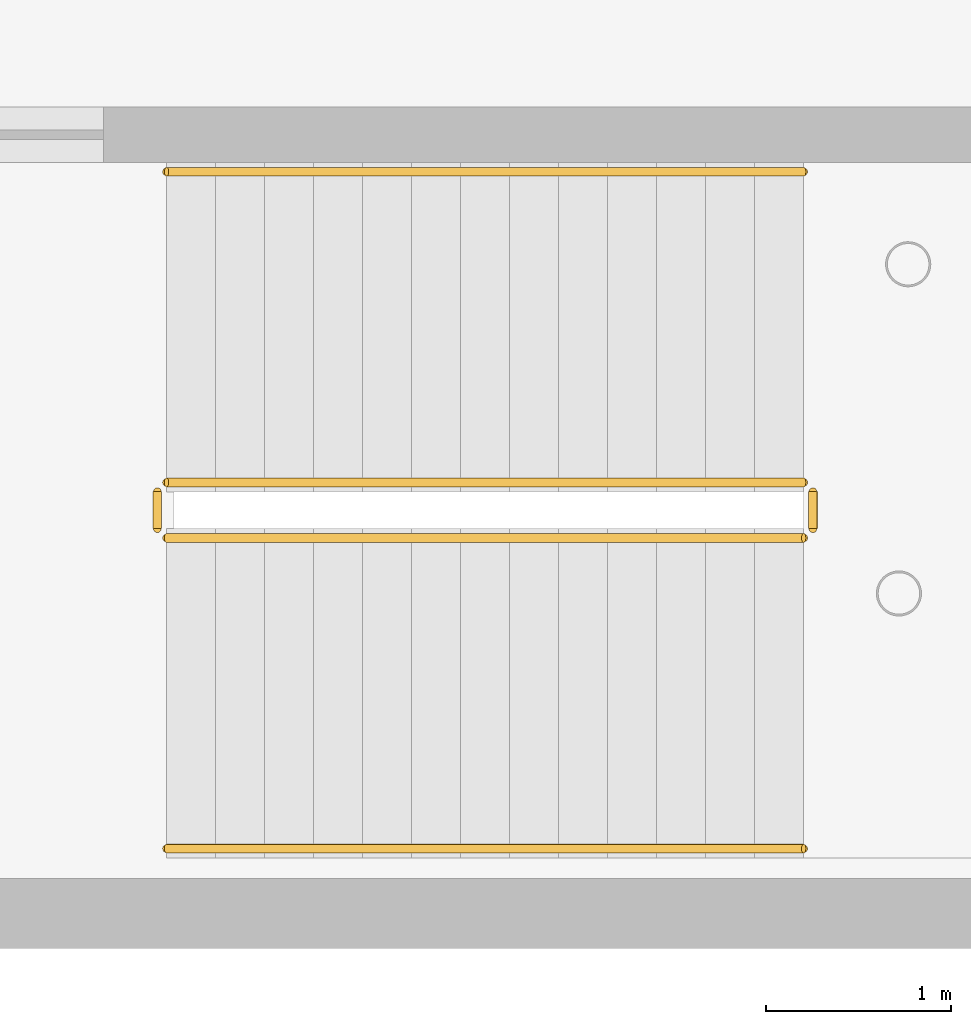
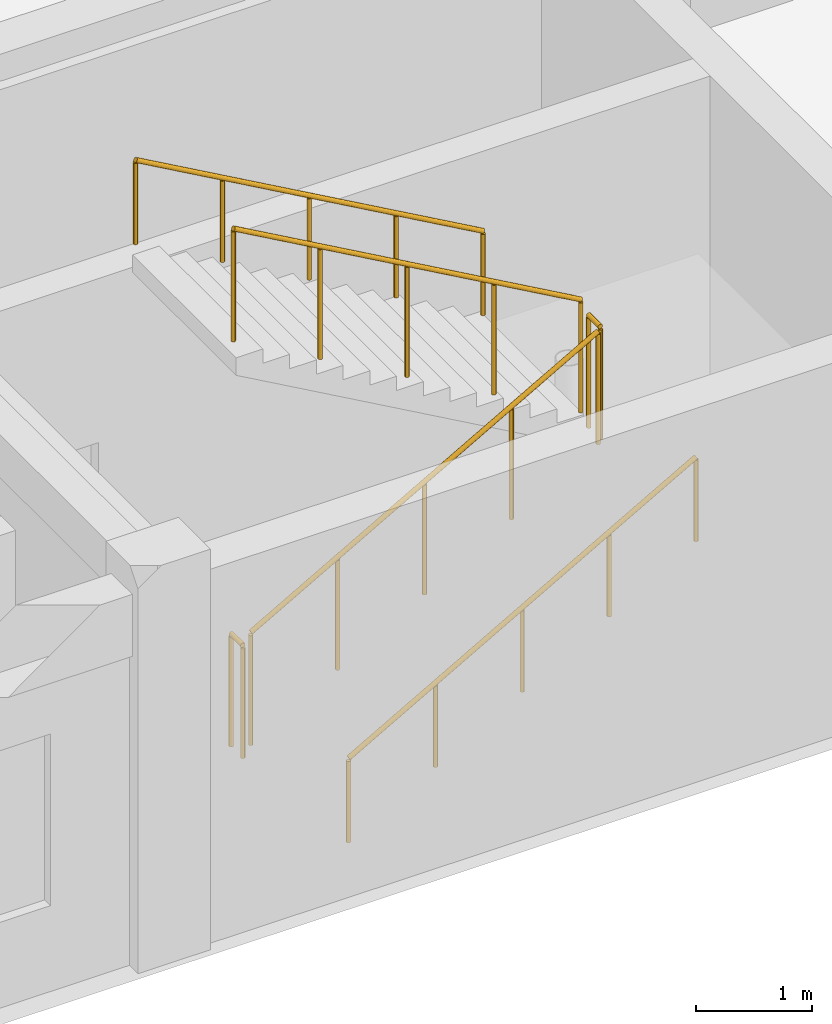
# One storey, part 183 of 195: 6 railings.
"""IFC4 building model written with IfcOpenShell, lengths in metres."""

from ifc_helpers import new_model, si_unit, direction, frame, origin, origin_2d, place, context, subcontext, project, spatial, circle, extrude, material, type_object, element, save


model = new_model("IFC4")

# Units and contexts
model_context = context("Model", 3, precision=1e-05, world=origin(), true_north=direction((0.0, 1.0)))
body_context = subcontext(model_context, "Body", "Model", "MODEL_VIEW")
ifc_project = project(units=[si_unit("LENGTHUNIT", "METRE"), si_unit("AREAUNIT", "SQUARE_METRE"), si_unit("VOLUMEUNIT", "CUBIC_METRE"), si_unit("PLANEANGLEUNIT", "RADIAN"), si_unit("MASSUNIT", "GRAM", prefix="KILO")], contexts=[model_context])

# Site, building, storey
site_placement = place(None, origin())
site = spatial("IfcSite", under=ifc_project, at=site_placement, CompositionType="ELEMENT")
building_placement = place(site_placement, origin())
building = spatial("IfcBuilding", under=site, at=building_placement, Name="Kharva Crest Polytechnic", CompositionType="ELEMENT")
storey_placement = place(building_placement, frame((0.0, 0.0, 9.0)))
storey = spatial("IfcBuildingStorey", under=building, at=storey_placement, Name="L02", CompositionType="ELEMENT", Elevation=9.0)

# Railings
ifc_material_1 = material(Name="Anodised aluminium", Category="aluminium")
railing_type_1 = type_object("IfcRailingType", Name="RL-STAIR-GUARD-1200", PredefinedType="GUARDRAIL", material=ifc_material_1)
railing_1_placement = place(storey_placement, frame((50.090087890625, 2.030029296875, 0.14990234375)))
element("IfcRailing", 1, at=railing_1_placement, inside=storey, type_object=railing_type_1, Name="L02 ST-01 stair guard 1", PredefinedType="GUARDRAIL", context=body_context, shape_type="SweptSolid", body=[
    extrude(circle(Radius=0.02392578125, at=origin_2d()), frame((0.0, 0.0, 1.17578125), z_axis=(0.870224926921, 0.0, 0.492654621987), x_axis=(0.0, 1.0, 0.0)), (0.0, 0.0, 1.0), 3.95849609375),
    extrude(circle(Radius=0.02099609375, at=origin_2d()), origin(), (0.0, 0.0, 1.0), 1.15185546875),
    extrude(circle(Radius=0.02099609375, at=origin_2d()), frame((0.861328125, 0.0, 0.487548828125)), (0.0, 0.0, 1.0), 1.15185546875),
    extrude(circle(Radius=0.02099609375, at=origin_2d()), frame((1.722412109375, 0.0, 0.97509765625)), (0.0, 0.0, 1.0), 1.15185546875),
    extrude(circle(Radius=0.02099609375, at=origin_2d()), frame((2.58349609375, 0.0, 1.462646484375)), (0.0, 0.0, 1.0), 1.15185546875),
    extrude(circle(Radius=0.02099609375, at=origin_2d()), frame((3.44482421875, 0.0, 1.9501953125)), (0.0, 0.0, 1.0), 1.15185546875),
])
railing_2_placement = place(storey_placement, frame((53.5849609375, 2.080078125, 2.10009765625)))
element("IfcRailing", 2, at=railing_2_placement, inside=storey, type_object=railing_type_1, Name="L02 ST-01 stair guard 2", PredefinedType="GUARDRAIL", context=body_context, shape_type="SweptSolid", body=[
    extrude(circle(Radius=0.02392578125, at=origin_2d()), frame((0.0, 0.0, 1.17578125), z_axis=(0.0, 1.0, 0.0), x_axis=(-1.0, 0.0, 0.0)), (0.0, 0.0, 1.0), 0.199951171875),
    extrude(circle(Radius=0.02099609375, at=origin_2d()), origin(), (0.0, 0.0, 1.0), 1.15185546875),
    extrude(circle(Radius=0.02099609375, at=origin_2d()), frame((0.0, 0.199951171875, 0.0)), (0.0, 0.0, 1.0), 1.15185546875),
])
railing_3_placement = place(storey_placement, frame((53.534912109375, 2.330078125, 2.25)))
element("IfcRailing", 3, at=railing_3_placement, inside=storey, type_object=railing_type_1, Name="L02 ST-01 stair guard 3", PredefinedType="GUARDRAIL", context=body_context, shape_type="SweptSolid", body=[
    extrude(circle(Radius=0.02392578125, at=origin_2d()), frame((0.0, 0.0, 1.17578125), z_axis=(-0.870251367514, 0.0, 0.492607914411), x_axis=(0.0, -1.0, 0.0)), (0.0, 0.0, 1.0), 3.95849609375),
    extrude(circle(Radius=0.02099609375, at=origin_2d()), origin(), (0.0, 0.0, 1.0), 1.15185546875),
    extrude(circle(Radius=0.02099609375, at=origin_2d()), frame((-0.861328125, 0.0, 0.487548828125)), (0.0, 0.0, 1.0), 1.15185546875),
    extrude(circle(Radius=0.02099609375, at=origin_2d()), frame((-1.722412109375, 0.0, 0.97509765625)), (0.0, 0.0, 1.0), 1.15185546875),
    extrude(circle(Radius=0.02099609375, at=origin_2d()), frame((-2.58349609375, 0.0, 1.46240234375)), (0.0, 0.0, 1.0), 1.15185546875),
    extrude(circle(Radius=0.02099609375, at=origin_2d()), frame((-3.44482421875, 0.0, 1.949951171875)), (0.0, 0.0, 1.0), 1.15185546875),
])
railing_4_placement = place(storey_placement, frame((50.0400390625, 2.080078125, 0.0)))
element("IfcRailing", 4, at=railing_4_placement, inside=storey, type_object=railing_type_1, Name="L02 ST-01 stair guard 4", PredefinedType="GUARDRAIL", context=body_context, shape_type="SweptSolid", body=[
    extrude(circle(Radius=0.02392578125, at=origin_2d()), frame((0.0, 0.0, 1.17578125), z_axis=(0.0, 1.0, 0.0), x_axis=(-1.0, 0.0, 0.0)), (0.0, 0.0, 1.0), 0.199951171875),
    extrude(circle(Radius=0.02099609375, at=origin_2d()), origin(), (0.0, 0.0, 1.0), 1.15185546875),
    extrude(circle(Radius=0.02099609375, at=origin_2d()), frame((0.0, 0.199951171875, 0.0)), (0.0, 0.0, 1.0), 1.15185546875),
])
ifc_material_2 = material(Name="Teak timber", Category="wood")
railing_type_2 = type_object("IfcRailingType", Name="RL-STAIR-HAND-900", PredefinedType="HANDRAIL", material=ifc_material_2)
railing_5_placement = place(storey_placement, frame((50.090087890625, 0.35009765625, 0.14990234375)))
element("IfcRailing", 5, at=railing_5_placement, inside=storey, type_object=railing_type_2, Name="L02 ST-01 stair handrail 1", PredefinedType="HANDRAIL", context=body_context, shape_type="SweptSolid", body=[
    extrude(circle(Radius=0.02392578125, at=origin_2d()), frame((0.0, 0.0, 0.8759765625), z_axis=(0.870224926921, 0.0, 0.492654621987), x_axis=(0.0, 1.0, 0.0)), (0.0, 0.0, 1.0), 3.95849609375),
    extrude(circle(Radius=0.02099609375, at=origin_2d()), origin(), (0.0, 0.0, 1.0), 0.851806640625),
    extrude(circle(Radius=0.02099609375, at=origin_2d()), frame((0.861328125, 0.0, 0.487548828125)), (0.0, 0.0, 1.0), 0.851806640625),
    extrude(circle(Radius=0.02099609375, at=origin_2d()), frame((1.722412109375, 0.0, 0.97509765625)), (0.0, 0.0, 1.0), 0.851806640625),
    extrude(circle(Radius=0.02099609375, at=origin_2d()), frame((2.58349609375, 0.0, 1.462646484375)), (0.0, 0.0, 1.0), 0.851806640625),
    extrude(circle(Radius=0.02099609375, at=origin_2d()), frame((3.44482421875, 0.0, 1.9501953125)), (0.0, 0.0, 1.0), 0.851806640625),
])
railing_6_placement = place(storey_placement, frame((53.534912109375, 4.010009765625, 2.25)))
element("IfcRailing", 6, at=railing_6_placement, inside=storey, type_object=railing_type_2, Name="L02 ST-01 stair handrail 2", PredefinedType="HANDRAIL", context=body_context, shape_type="SweptSolid", body=[
    extrude(circle(Radius=0.02392578125, at=origin_2d()), frame((0.0, 0.0, 0.8759765625), z_axis=(-0.870251367514, 0.0, 0.492607914411), x_axis=(0.0, -1.0, 0.0)), (0.0, 0.0, 1.0), 3.95849609375),
    extrude(circle(Radius=0.02099609375, at=origin_2d()), origin(), (0.0, 0.0, 1.0), 0.851806640625),
    extrude(circle(Radius=0.02099609375, at=origin_2d()), frame((-0.861328125, 0.0, 0.487548828125)), (0.0, 0.0, 1.0), 0.851806640625),
    extrude(circle(Radius=0.02099609375, at=origin_2d()), frame((-1.722412109375, 0.0, 0.97509765625)), (0.0, 0.0, 1.0), 0.851806640625),
    extrude(circle(Radius=0.02099609375, at=origin_2d()), frame((-2.58349609375, 0.0, 1.46240234375)), (0.0, 0.0, 1.0), 0.851806640625),
    extrude(circle(Radius=0.02099609375, at=origin_2d()), frame((-3.44482421875, 0.0, 1.949951171875)), (0.0, 0.0, 1.0), 0.851806640625),
])

save(model, "model.ifc")
